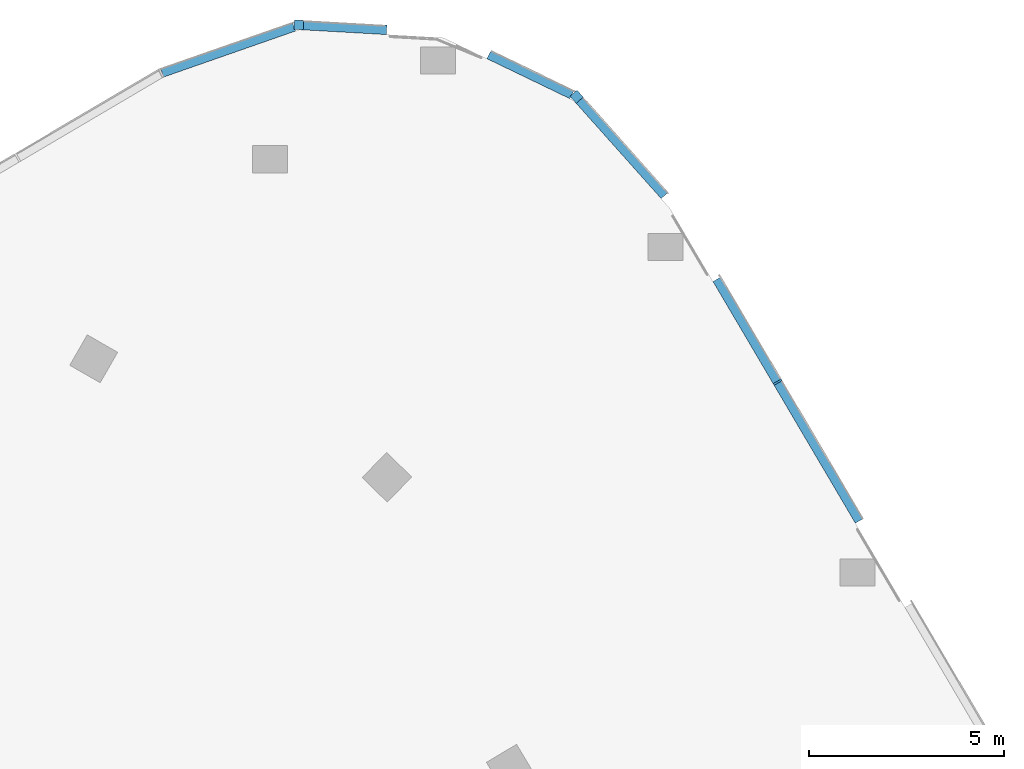
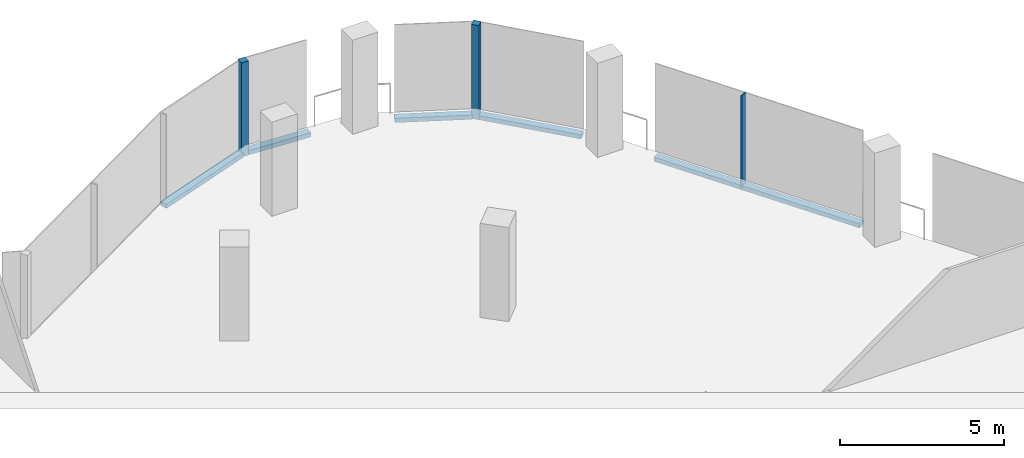
# One storey, part 9 of 26: 8 members, 5 elements without a shape of their own.
"""IFC4 building model written with IfcOpenShell, lengths in metres."""

from ifc_helpers import new_model, si_unit, direction, frame, origin, origin_2d, place, context, subcontext, project, spatial, rectangle, extrude, material, material_profile, profile_set, type_object, element, aggregate, save


model = new_model("IFC4")

# Units and contexts
model_context = context("Model", 3, precision=1e-05, world=origin(), true_north=direction((0.0, 1.0)))
body_context = subcontext(model_context, "Body", "Model", "MODEL_VIEW")
ifc_project = project(units=[si_unit("LENGTHUNIT", "METRE"), si_unit("AREAUNIT", "SQUARE_METRE"), si_unit("VOLUMEUNIT", "CUBIC_METRE"), si_unit("PLANEANGLEUNIT", "RADIAN"), si_unit("MASSUNIT", "GRAM", prefix="KILO")], contexts=[model_context])

# Site, building, storey
site_placement = place(None, origin())
site = spatial("IfcSite", under=ifc_project, at=site_placement, CompositionType="ELEMENT")
building_placement = place(site_placement, origin())
building = spatial("IfcBuilding", under=site, at=building_placement, Name="Orlundy Tower", CompositionType="ELEMENT")
storey_placement = place(building_placement, frame((0.0, 0.0, 275.39990234375)))
storey = spatial("IfcBuildingStorey", under=building, at=storey_placement, Name="L73", CompositionType="ELEMENT", Elevation=275.39990234375)

# Curtain wall, member
ifc_material_1 = material(Name="Aluminium bronze anodised", Category="aluminium")
curtain_wall_type = type_object("IfcCurtainWallType", Name="CW6 wall", PredefinedType="NOTDEFINED", material=ifc_material_1)
curtain_wall_1_placement = place(storey_placement, origin())
curtain_wall_1 = element("IfcCurtainWall", 1, at=curtain_wall_1_placement, inside=storey, type_object=curtain_wall_type, Name="CW6 run 020", PredefinedType="NOTDEFINED")
ifc_material_2 = material(Name="Aluminium bronze anodised", Category="aluminium")
ifc_material_profile_1 = material_profile(ifc_material_2, rectangle(XDim=0.239990234375, YDim=0.239990234375, at=origin_2d()), Name="CW6 corner post 240x240")
ifc_profile_set_1 = profile_set([ifc_material_profile_1], Name="Aluminium bronze anodised")
member_type_1 = type_object("IfcMemberType", Name="CW6 corner post 240x240", PredefinedType="MULLION", material=ifc_profile_set_1)
member_1_placement = place(storey_placement, frame((20.0419921875, 34.30908203125, -0.39990234375), z_axis=(0.0, 0.0, 1.0), x_axis=(0.056650299193, 0.998394082315, 0.0)))
member_1 = element("IfcMember", 2, at=member_1_placement, type_object=member_type_1, Name="CW6 mullion 42", PredefinedType="MULLION", context=body_context, shape_type="SweptSolid", body=[
    extrude(rectangle(XDim=0.239990234375, YDim=0.239990234375, at=origin_2d()), origin(), (0.0, 0.0, 1.0), 3.5),
])

curtain_wall_2_placement = place(storey_placement, origin())
curtain_wall_2 = element("IfcCurtainWall", 3, at=curtain_wall_2_placement, inside=storey, type_object=curtain_wall_type, Name="CW6 run 022", PredefinedType="NOTDEFINED")
member_2_placement = place(storey_placement, frame((27.172607421875, 32.4658203125, -0.39990234375), z_axis=(0.0, 0.0, 1.0), x_axis=(0.746157794518, 0.665769138425, 0.0)))
member_2 = element("IfcMember", 4, at=member_2_placement, type_object=member_type_1, Name="CW6 mullion 44", PredefinedType="MULLION", context=body_context, shape_type="SweptSolid", body=[
    extrude(rectangle(XDim=0.239990234375, YDim=0.239990234375, at=origin_2d()), origin(), (0.0, 0.0, 1.0), 3.5),
])

curtain_wall_3_placement = place(storey_placement, origin())
curtain_wall_3 = element("IfcCurtainWall", 5, at=curtain_wall_3_placement, inside=storey, type_object=curtain_wall_type, Name="CW6 run 023", PredefinedType="NOTDEFINED")
ifc_material_3 = material(Name="Aluminium bronze anodised", Category="aluminium")
ifc_material_profile_2 = material_profile(ifc_material_3, rectangle(XDim=0.239990234375, YDim=0.050048828125, at=origin_2d()), Name="CW6 mullion 50x240")
ifc_profile_set_2 = profile_set([ifc_material_profile_2], Name="Aluminium bronze anodised")
member_type_2 = type_object("IfcMemberType", Name="CW6 mullion 50x240", PredefinedType="MULLION", material=ifc_profile_set_2)
member_3_placement = place(storey_placement, frame((32.3349609375, 25.139404296875, -0.39990234375), z_axis=(0.0, 0.0, 1.0), x_axis=(0.861632919827, 0.507531980737, 0.0)))
member_3 = element("IfcMember", 6, at=member_3_placement, type_object=member_type_2, Name="CW6 mullion 46", PredefinedType="MULLION", context=body_context, shape_type="SweptSolid", body=[
    extrude(rectangle(XDim=0.239990234375, YDim=0.050048828125, at=origin_2d()), origin(), (0.0, 0.0, 1.0), 3.5),
])

curtain_wall_4_placement = place(storey_placement, origin())
curtain_wall_4 = element("IfcCurtainWall", 7, at=curtain_wall_4_placement, inside=storey, type_object=curtain_wall_type, Name="CW6 run 019", PredefinedType="NOTDEFINED")
ifc_material_4 = material(Name="Aluminium bronze anodised", Category="aluminium")
ifc_material_profile_3 = material_profile(ifc_material_4, rectangle(XDim=0.239990234375, YDim=0.159912109375, at=origin_2d()), Name="CW6 transom 240x160")
ifc_profile_set_3 = profile_set([ifc_material_profile_3], Name="Aluminium bronze anodised")
member_type_3 = type_object("IfcMemberType", Name="CW6 transom 240x160", PredefinedType="USERDEFINED", material=ifc_profile_set_3)
member_4_placement = place(storey_placement, frame((16.532958984375, 33.083740234375, -0.31982421875), z_axis=(0.944088385931, 0.329692462076, 0.0), x_axis=(-0.329692462076, 0.944088385931, 0.0)))
member_4 = element("IfcMember", 8, at=member_4_placement, type_object=member_type_3, Name="CW6 transom", ObjectType="TRANSOM", PredefinedType="USERDEFINED", context=body_context, shape_type="SweptSolid", body=[
    extrude(rectangle(XDim=0.239990234375, YDim=0.159912109375, at=origin_2d()), origin(), (0.0, 0.0, 1.0), 3.5869140625),
])
aggregate(curtain_wall_4, [member_4])

# Member
member_5_placement = place(storey_placement, frame((20.161865234375, 34.30224609375, -0.31982421875), z_axis=(0.998400021046, -0.056545538949, 0.0), x_axis=(0.056545538949, 0.998400021046, 0.0)))
member_5 = element("IfcMember", 9, at=member_5_placement, type_object=member_type_3, Name="CW6 transom", ObjectType="TRANSOM", PredefinedType="USERDEFINED", context=body_context, shape_type="SweptSolid", body=[
    extrude(rectangle(XDim=0.239990234375, YDim=0.159912109375, at=origin_2d()), origin(), (0.0, 0.0, 1.0), 2.13720703125),
])

aggregate(curtain_wall_1, [member_1, member_5])

# Curtain wall, member
curtain_wall_5_placement = place(storey_placement, origin())
curtain_wall_5 = element("IfcCurtainWall", 10, at=curtain_wall_5_placement, inside=storey, type_object=curtain_wall_type, Name="CW6 run 021", PredefinedType="NOTDEFINED")
member_6_placement = place(storey_placement, frame((24.92431640625, 33.5498046875, -0.31982421875), z_axis=(0.90077300613, -0.43429021567, 0.0), x_axis=(0.43429021567, 0.90077300613, 0.0)))
member_6 = element("IfcMember", 11, at=member_6_placement, type_object=member_type_3, Name="CW6 transom", ObjectType="TRANSOM", PredefinedType="USERDEFINED", context=body_context, shape_type="SweptSolid", body=[
    extrude(rectangle(XDim=0.239990234375, YDim=0.159912109375, at=origin_2d()), origin(), (0.0, 0.0, 1.0), 2.3662109375),
])
aggregate(curtain_wall_5, [member_6])

# Member
member_7_placement = place(storey_placement, frame((27.25244140625, 32.376220703125, -0.31982421875), z_axis=(0.665764009072, -0.74616237122, 0.0), x_axis=(0.74616237122, 0.665764009072, 0.0)))
member_7 = element("IfcMember", 12, at=member_7_placement, type_object=member_type_3, Name="CW6 transom", ObjectType="TRANSOM", PredefinedType="USERDEFINED", context=body_context, shape_type="SweptSolid", body=[
    extrude(rectangle(XDim=0.239990234375, YDim=0.159912109375, at=origin_2d()), origin(), (0.0, 0.0, 1.0), 3.276611328125),
])

aggregate(curtain_wall_2, [member_2, member_7])

member_8_placement = place(storey_placement, frame((30.778564453125, 27.78173828125, -0.31982421875), z_axis=(0.507537234549, -0.861629825126, 0.0), x_axis=(0.861629825126, 0.507537234549, 0.0)))
member_8 = element("IfcMember", 13, at=member_8_placement, type_object=member_type_3, Name="CW6 transom", ObjectType="TRANSOM", PredefinedType="USERDEFINED", context=body_context, shape_type="SweptSolid", body=[
    extrude(rectangle(XDim=0.239990234375, YDim=0.159912109375, at=origin_2d()), origin(), (0.0, 0.0, 1.0), 7.199462890625),
])

aggregate(curtain_wall_3, [member_3, member_8])

save(model, "model.ifc")
